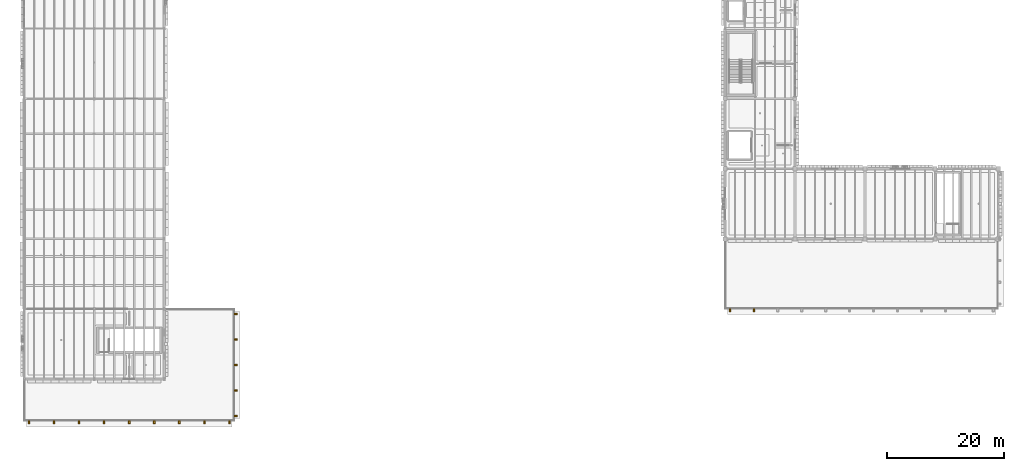
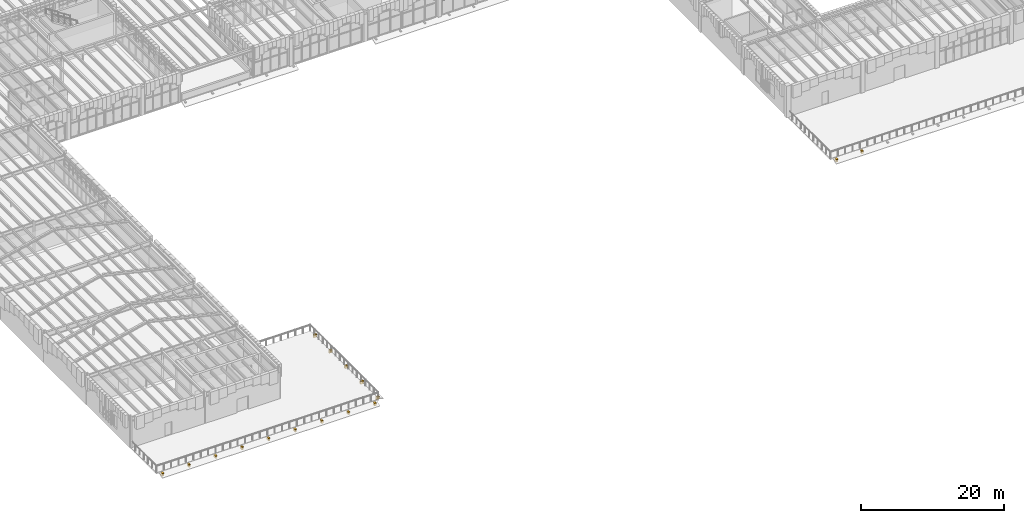
# One storey, part 96 of 100: 16 coverings.
"""IFC4 building model written with IfcOpenShell, lengths in metres."""

from ifc_helpers import new_model, si_unit, direction, frame, origin, place, context, subcontext, project, spatial, polyline, outline, extrude, material, layer, layer_set, type_object, element, save


model = new_model("IFC4")

# Units and contexts
model_context = context("Model", 3, precision=1e-05, world=origin(), true_north=direction((0.0, 1.0)))
body_context = subcontext(model_context, "Body", "Model", "MODEL_VIEW")
ifc_project = project(units=[si_unit("LENGTHUNIT", "METRE"), si_unit("AREAUNIT", "SQUARE_METRE"), si_unit("VOLUMEUNIT", "CUBIC_METRE"), si_unit("PLANEANGLEUNIT", "RADIAN"), si_unit("MASSUNIT", "GRAM", prefix="KILO")], contexts=[model_context])

# Site, building, storey
site_placement = place(None, origin())
site = spatial("IfcSite", under=ifc_project, at=site_placement, CompositionType="ELEMENT")
building_placement = place(site_placement, origin())
building = spatial("IfcBuilding", under=site, at=building_placement, Name="Zlatogorsky Bluff Art Gallery", CompositionType="ELEMENT")
storey_placement = place(building_placement, frame((0.0, 0.0, 5.39990234375)))
storey = spatial("IfcBuildingStorey", under=building, at=storey_placement, Name="L01", CompositionType="ELEMENT", Elevation=5.39990234375)

# Coverings
ifc_material = material(Name="Honed Red Agra-Tone Quartzitic Sandstone", Category="masonry")
ifc_layer = layer(ifc_material, 0.1201171875)
ifc_layer_set = layer_set([ifc_layer], Name="Carved Sandstone Cladding CLD-02")
covering_type = type_object("IfcCoveringType", Name="Carved Sandstone Cladding CLD-02", PredefinedType="CLADDING", material=ifc_layer_set)
covering_1_placement = place(storey_placement, frame((0.0, 0.0, -0.599853515625)))
element("IfcCovering", 1, at=covering_1_placement, inside=storey, type_object=covering_type, Name="Chhajja carved stone corbel CHJ-EAST-S-L01.1", PredefinedType="CLADDING", context=body_context, shape_type="SweptSolid", body=[
    extrude(outline(polyline([(120.7099609375, 25.93994140625), (120.989990234375, 25.93994140625), (120.989990234375, 26.43994140625), (120.7099609375, 26.43994140625), (120.7099609375, 25.93994140625)])), origin(), (0.0, 0.0, 1.0), 0.47998046875),
])
covering_2_placement = place(storey_placement, frame((0.0, 0.0, -0.599853515625)))
element("IfcCovering", 2, at=covering_2_placement, inside=storey, type_object=covering_type, Name="Chhajja carved stone corbel CHJ-EAST-S-L01.2", PredefinedType="CLADDING", context=body_context, shape_type="SweptSolid", body=[
    extrude(outline(polyline([(124.81005859375, 25.93994140625), (125.090087890625, 25.93994140625), (125.090087890625, 26.43994140625), (124.81005859375, 26.43994140625), (124.81005859375, 25.93994140625)])), origin(), (0.0, 0.0, 1.0), 0.47998046875),
])
covering_3_placement = place(storey_placement, frame((0.0, 0.0, -0.599853515625)))
element("IfcCovering", 3, at=covering_3_placement, inside=storey, type_object=covering_type, Name="Chhajja carved stone corbel CHJ-SW-S-L01.1", PredefinedType="CLADDING", context=body_context, shape_type="SweptSolid", body=[
    extrude(outline(polyline([(0.7099609375, 6.739990234375), (0.989990234375, 6.739990234375), (0.989990234375, 7.239990234375), (0.7099609375, 7.239990234375), (0.7099609375, 6.739990234375)])), origin(), (0.0, 0.0, 1.0), 0.47998046875),
])
covering_4_placement = place(storey_placement, frame((0.0, 0.0, -0.599853515625)))
element("IfcCovering", 4, at=covering_4_placement, inside=storey, type_object=covering_type, Name="Chhajja carved stone corbel CHJ-SW-S-L01.2", PredefinedType="CLADDING", context=body_context, shape_type="SweptSolid", body=[
    extrude(outline(polyline([(4.99755859375, 6.739990234375), (5.277587890625, 6.739990234375), (5.277587890625, 7.239990234375), (4.99755859375, 7.239990234375), (4.99755859375, 6.739990234375)])), origin(), (0.0, 0.0, 1.0), 0.47998046875),
])
covering_5_placement = place(storey_placement, frame((0.0, 0.0, -0.599853515625)))
element("IfcCovering", 5, at=covering_5_placement, inside=storey, type_object=covering_type, Name="Chhajja carved stone corbel CHJ-SW-S-L01.3", PredefinedType="CLADDING", context=body_context, shape_type="SweptSolid", body=[
    extrude(outline(polyline([(9.284912109375, 6.739990234375), (9.56494140625, 6.739990234375), (9.56494140625, 7.239990234375), (9.284912109375, 7.239990234375), (9.284912109375, 6.739990234375)])), origin(), (0.0, 0.0, 1.0), 0.47998046875),
])
covering_6_placement = place(storey_placement, frame((0.0, 0.0, -0.599853515625)))
element("IfcCovering", 6, at=covering_6_placement, inside=storey, type_object=covering_type, Name="Chhajja carved stone corbel CHJ-SW-S-L01.4", PredefinedType="CLADDING", context=body_context, shape_type="SweptSolid", body=[
    extrude(outline(polyline([(13.572509765625, 6.739990234375), (13.8525390625, 6.739990234375), (13.8525390625, 7.239990234375), (13.572509765625, 7.239990234375), (13.572509765625, 6.739990234375)])), origin(), (0.0, 0.0, 1.0), 0.47998046875),
])
covering_7_placement = place(storey_placement, frame((0.0, 0.0, -0.599853515625)))
element("IfcCovering", 7, at=covering_7_placement, inside=storey, type_object=covering_type, Name="Chhajja carved stone corbel CHJ-SW-S-L01.5", PredefinedType="CLADDING", context=body_context, shape_type="SweptSolid", body=[
    extrude(outline(polyline([(17.860107421875, 6.739990234375), (18.139892578125, 6.739990234375), (18.139892578125, 7.239990234375), (17.860107421875, 7.239990234375), (17.860107421875, 6.739990234375)])), origin(), (0.0, 0.0, 1.0), 0.47998046875),
])
covering_8_placement = place(storey_placement, frame((0.0, 0.0, -0.599853515625)))
element("IfcCovering", 8, at=covering_8_placement, inside=storey, type_object=covering_type, Name="Chhajja carved stone corbel CHJ-SW-S-L01.6", PredefinedType="CLADDING", context=body_context, shape_type="SweptSolid", body=[
    extrude(outline(polyline([(22.1474609375, 6.739990234375), (22.427490234375, 6.739990234375), (22.427490234375, 7.239990234375), (22.1474609375, 7.239990234375), (22.1474609375, 6.739990234375)])), origin(), (0.0, 0.0, 1.0), 0.47998046875),
])
covering_9_placement = place(storey_placement, frame((0.0, 0.0, -0.599853515625)))
element("IfcCovering", 9, at=covering_9_placement, inside=storey, type_object=covering_type, Name="Chhajja carved stone corbel CHJ-SW-S-L01.7", PredefinedType="CLADDING", context=body_context, shape_type="SweptSolid", body=[
    extrude(outline(polyline([(26.43505859375, 6.739990234375), (26.715087890625, 6.739990234375), (26.715087890625, 7.239990234375), (26.43505859375, 7.239990234375), (26.43505859375, 6.739990234375)])), origin(), (0.0, 0.0, 1.0), 0.47998046875),
])
covering_10_placement = place(storey_placement, frame((0.0, 0.0, -0.599853515625)))
element("IfcCovering", 10, at=covering_10_placement, inside=storey, type_object=covering_type, Name="Chhajja carved stone corbel CHJ-SW-S-L01.8", PredefinedType="CLADDING", context=body_context, shape_type="SweptSolid", body=[
    extrude(outline(polyline([(30.722412109375, 6.739990234375), (31.00244140625, 6.739990234375), (31.00244140625, 7.239990234375), (30.722412109375, 7.239990234375), (30.722412109375, 6.739990234375)])), origin(), (0.0, 0.0, 1.0), 0.47998046875),
])
covering_11_placement = place(storey_placement, frame((0.0, 0.0, -0.599853515625)))
element("IfcCovering", 11, at=covering_11_placement, inside=storey, type_object=covering_type, Name="Chhajja carved stone corbel CHJ-SW-S-L01.9", PredefinedType="CLADDING", context=body_context, shape_type="SweptSolid", body=[
    extrude(outline(polyline([(35.010009765625, 6.739990234375), (35.2900390625, 6.739990234375), (35.2900390625, 7.239990234375), (35.010009765625, 7.239990234375), (35.010009765625, 6.739990234375)])), origin(), (0.0, 0.0, 1.0), 0.47998046875),
])
covering_12_placement = place(storey_placement, frame((0.0, 0.0, -0.599853515625)))
element("IfcCovering", 12, at=covering_12_placement, inside=storey, type_object=covering_type, Name="Chhajja carved stone corbel CHJ-SW-E-L01.1", PredefinedType="CLADDING", context=body_context, shape_type="SweptSolid", body=[
    extrude(outline(polyline([(35.9599609375, 7.909912109375), (35.9599609375, 8.18994140625), (36.4599609375, 8.18994140625), (36.4599609375, 7.909912109375), (35.9599609375, 7.909912109375)])), origin(), (0.0, 0.0, 1.0), 0.47998046875),
])
covering_13_placement = place(storey_placement, frame((0.0, 0.0, -0.599853515625)))
element("IfcCovering", 13, at=covering_13_placement, inside=storey, type_object=covering_type, Name="Chhajja carved stone corbel CHJ-SW-E-L01.2", PredefinedType="CLADDING", context=body_context, shape_type="SweptSolid", body=[
    extrude(outline(polyline([(35.9599609375, 12.284912109375), (35.9599609375, 12.56494140625), (36.4599609375, 12.56494140625), (36.4599609375, 12.284912109375), (35.9599609375, 12.284912109375)])), origin(), (0.0, 0.0, 1.0), 0.47998046875),
])
covering_14_placement = place(storey_placement, frame((0.0, 0.0, -0.599853515625)))
element("IfcCovering", 14, at=covering_14_placement, inside=storey, type_object=covering_type, Name="Chhajja carved stone corbel CHJ-SW-E-L01.3", PredefinedType="CLADDING", context=body_context, shape_type="SweptSolid", body=[
    extrude(outline(polyline([(35.9599609375, 16.659912109375), (35.9599609375, 16.93994140625), (36.4599609375, 16.93994140625), (36.4599609375, 16.659912109375), (35.9599609375, 16.659912109375)])), origin(), (0.0, 0.0, 1.0), 0.47998046875),
])
covering_15_placement = place(storey_placement, frame((0.0, 0.0, -0.599853515625)))
element("IfcCovering", 15, at=covering_15_placement, inside=storey, type_object=covering_type, Name="Chhajja carved stone corbel CHJ-SW-E-L01.4", PredefinedType="CLADDING", context=body_context, shape_type="SweptSolid", body=[
    extrude(outline(polyline([(35.9599609375, 21.034912109375), (35.9599609375, 21.31494140625), (36.4599609375, 21.31494140625), (36.4599609375, 21.034912109375), (35.9599609375, 21.034912109375)])), origin(), (0.0, 0.0, 1.0), 0.47998046875),
])
covering_16_placement = place(storey_placement, frame((0.0, 0.0, -0.599853515625)))
element("IfcCovering", 16, at=covering_16_placement, inside=storey, type_object=covering_type, Name="Chhajja carved stone corbel CHJ-SW-E-L01.5", PredefinedType="CLADDING", context=body_context, shape_type="SweptSolid", body=[
    extrude(outline(polyline([(35.9599609375, 25.409912109375), (35.9599609375, 25.68994140625), (36.4599609375, 25.68994140625), (36.4599609375, 25.409912109375), (35.9599609375, 25.409912109375)])), origin(), (0.0, 0.0, 1.0), 0.47998046875),
])

save(model, "model.ifc")
